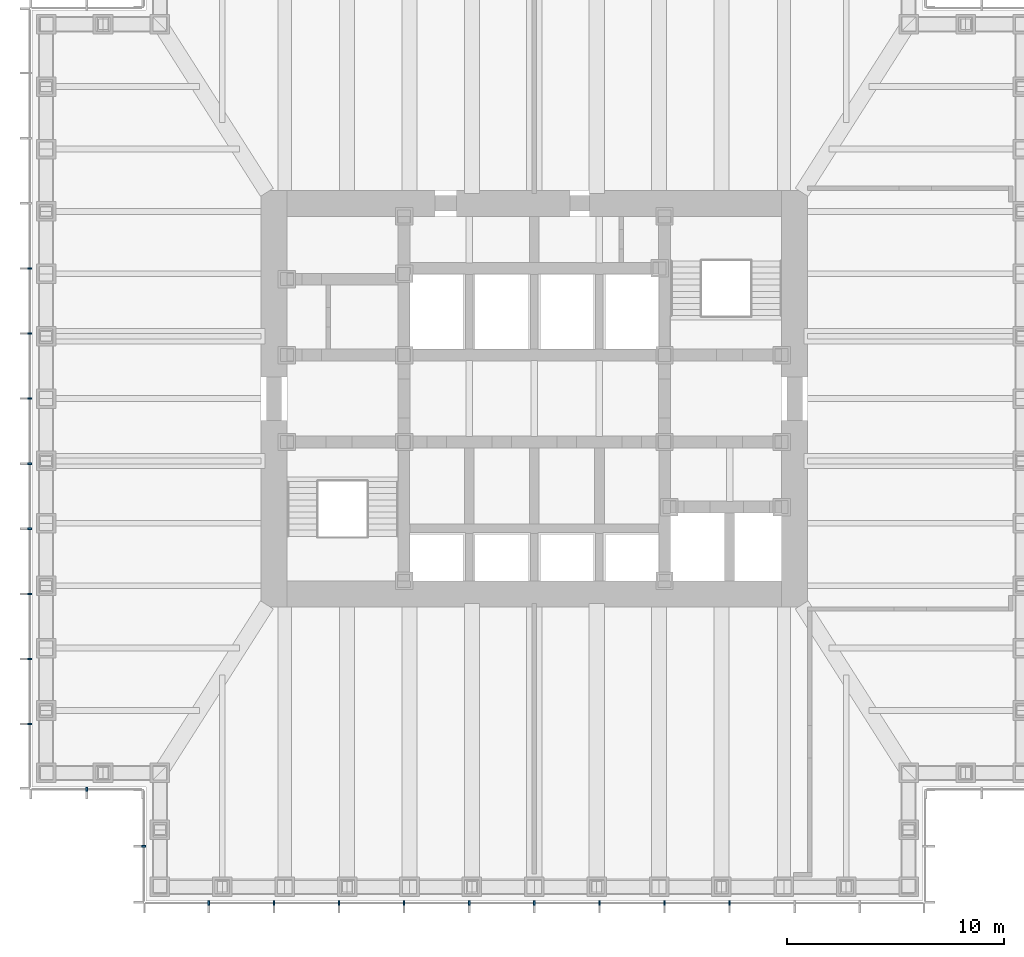
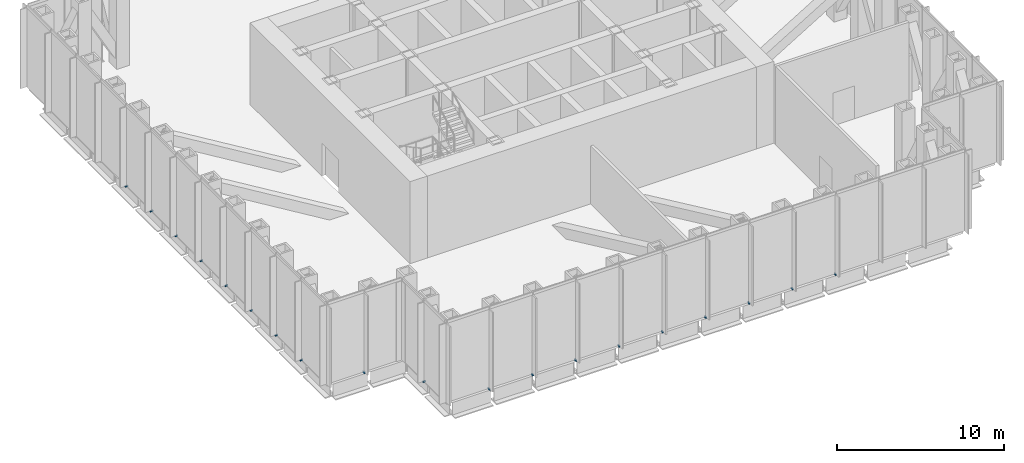
# One storey, part 9 of 13: 19 discrete accessories.
"""IFC4 building model written with IfcOpenShell, lengths in metres."""

import ifcopenshell
import ifcopenshell.guid

model = None  # the IFC model being written
_history = None  # IfcOwnerHistory: only IFC2X3 demands one
_inside = {}  # id of a spatial element -> (the spatial element, [elements in it])
_under = {}  # id of a project, library or spatial element -> (it, [spatial elements below it])
_declared = {}  # id of a project -> (the project, [libraries it declares])
_typed = {}  # id of a type object -> (the type object, [elements of that type])
_made_of = {}  # id of a material, layer set ... -> (it, [elements and type objects made of it])


def new_model(schema):
    """Start an empty IFC model of exactly this schema.

    Asked for "IFC4X3", IfcOpenShell would pick the latest addendum, in which some entities
    have other attributes; the version numbers below select the first issue.
    IFC2X3 requires an IfcOwnerHistory on every rooted entity: one is made here for all.
    """
    global model, _history
    if schema == "IFC4X3":
        model = ifcopenshell.file(schema_version=(4, 3, 0, 0))
    else:
        model = ifcopenshell.file(schema=schema)
    _inside.clear()
    _under.clear()
    _declared.clear()
    _typed.clear()
    _made_of.clear()
    _history = None
    if model.schema == "IFC2X3":
        org = make("IfcOrganization", Name="unknown")
        user = make(
            "IfcPersonAndOrganization",
            ThePerson=make("IfcPerson", FamilyName="unknown"),
            TheOrganization=org,
        )
        app = make(
            "IfcApplication",
            ApplicationDeveloper=org,
            Version="unknown",
            ApplicationFullName="unknown",
            ApplicationIdentifier="unknown",
        )
        _history = make(
            "IfcOwnerHistory",
            OwningUser=user,
            OwningApplication=app,
            ChangeAction="ADDED",
            CreationDate=0,
        )
    return model


def make(cls, **values):
    """One entity of the class cls with the attributes given. An attribute that is None is left unset."""
    return model.create_entity(
        cls, **{name: value for name, value in values.items() if value is not None}
    )


def rooted(cls, **values):
    """An entity with a GlobalId (a new one), such as an element, a storey or a relation."""
    return make(cls, GlobalId=ifcopenshell.guid.new(), OwnerHistory=_history, **values)


def si_unit(unit_type, name, prefix=None):
    """IfcSIUnit, for example si_unit("LENGTHUNIT", "METRE", prefix="MILLI")."""
    return make("IfcSIUnit", UnitType=unit_type, Prefix=prefix, Name=name)


def assignment(units):
    """IfcUnitAssignment: the units of a project."""
    return None if units is None else make("IfcUnitAssignment", Units=units)


def point(xyz):
    """IfcCartesianPoint."""
    return None if xyz is None else make("IfcCartesianPoint", Coordinates=xyz)


def direction(xyz):
    """IfcDirection."""
    return None if xyz is None else make("IfcDirection", DirectionRatios=xyz)


def frame(location, z_axis=None, x_axis=None):
    """IfcAxis2Placement3D, a coordinate frame: its origin and axes. An axis left out is left unset."""
    return make(
        "IfcAxis2Placement3D",
        Location=point(location),
        Axis=direction(z_axis),
        RefDirection=direction(x_axis),
    )


def frame_2d(location, x_axis=None):
    """IfcAxis2Placement2D, a coordinate frame in the plane: its origin and x axis."""
    return make(
        "IfcAxis2Placement2D", Location=point(location), RefDirection=direction(x_axis)
    )


def origin():
    """The frame at (0, 0, 0) with its axes left unset."""
    return frame((0.0, 0.0, 0.0))


def origin_2d():
    """The frame at (0, 0) in the plane with its x axis left unset."""
    return frame_2d((0.0, 0.0))


def place(relative_to, where):
    """IfcLocalPlacement: puts the frame where relative to a parent placement (None: the world)."""
    return make(
        "IfcLocalPlacement", PlacementRelTo=relative_to, RelativePlacement=where
    )


def context(
    kind, dimensions, precision=None, world=None, true_north=None, identifier=None
):
    """IfcGeometricRepresentationContext, for example the 3D "Model" context."""
    return make(
        "IfcGeometricRepresentationContext",
        ContextIdentifier=identifier,
        ContextType=kind,
        CoordinateSpaceDimension=dimensions,
        Precision=precision,
        WorldCoordinateSystem=world,
        TrueNorth=true_north,
    )


def subcontext(parent, identifier, kind, view, scale=None):
    """IfcGeometricRepresentationSubContext, for example "Body" below "Model"."""
    return make(
        "IfcGeometricRepresentationSubContext",
        ContextIdentifier=identifier,
        ContextType=kind,
        ParentContext=parent,
        TargetScale=scale,
        TargetView=view,
    )


def project(units=None, contexts=None):
    """IfcProject with its units and contexts."""
    return rooted(
        "IfcProject",
        Name="project",
        RepresentationContexts=contexts,
        UnitsInContext=assignment(units),
    )


def spatial(cls, under=None, at=None, **own):
    """A site, building, storey or space (cls), placed at a placement, below another one or the project."""
    s = rooted(cls, ObjectPlacement=at, **own)
    if under is not None:
        _under.setdefault(under.id(), (under, []))[1].append(s)
    return s


def profile(cls, at=None, kind="AREA", **sizes):
    """A parametric profile (cls). Its sizes go by their IFC names, for example OverallWidth=200.0."""
    return make(cls, ProfileType=kind, Position=at, **sizes)


def rectangle(**sizes):
    """IfcRectangleProfileDef."""
    return profile("IfcRectangleProfileDef", **sizes)


def extrude(swept, where, along, depth):
    """IfcExtrudedAreaSolid: the profile swept, set in the frame where, extruded along a direction by depth."""
    return make(
        "IfcExtrudedAreaSolid",
        SweptArea=swept,
        Position=where,
        ExtrudedDirection=direction(along),
        Depth=depth,
    )


def shape(context_of_items, identifier, shape_type, items):
    """IfcShapeRepresentation: the items that make up one representation, for example the "Body"."""
    return make(
        "IfcShapeRepresentation",
        ContextOfItems=context_of_items,
        RepresentationIdentifier=identifier,
        RepresentationType=shape_type,
        Items=items,
    )


def made_of(thing, what):
    """Note that an element or type object is made of a material, layer set ...; save() writes the relation."""
    if what is not None:
        _made_of.setdefault(what.id(), (what, []))[1].append(thing)
    return thing


def element(
    cls,
    number,
    at=None,
    inside=None,
    cuts=None,
    type_object=None,
    material=None,
    context=None,
    identifier="Body",
    shape_type=None,
    held_by="IfcProductDefinitionShape",
    body=None,
    shapes=None,
    **own,
):
    """One element of the class cls, such as IfcWall. Its Tag is "e" and its number.

    at: its placement. inside: the storey or other place that contains it. cuts: it is an
    opening in that element (IfcRelVoidsElement). A single representation is given by context,
    identifier, shape_type and body (its items); several are given by shapes. held_by: the class
    of the entity that holds the representations. save() writes the other relations.
    """
    e = rooted(cls, Tag="e%d" % number, ObjectPlacement=at, **own)
    if body is not None:
        shapes = [shape(context, identifier, shape_type, body)]
    if shapes is not None:
        e.Representation = make(held_by, Representations=shapes)
    if inside is not None:
        _inside.setdefault(inside.id(), (inside, []))[1].append(e)
    if cuts is not None:
        rooted(
            "IfcRelVoidsElement", RelatingBuildingElement=cuts, RelatedOpeningElement=e
        )
    if type_object is not None:
        _typed.setdefault(type_object.id(), (type_object, []))[1].append(e)
    return made_of(e, material)


def aggregate(whole, parts):
    """IfcRelAggregates: a whole, such as a stair, and the parts it consists of."""
    return rooted("IfcRelAggregates", RelatingObject=whole, RelatedObjects=parts)


def save(model, path):
    """Write the relations noted so far, then the file.

    IfcRelAggregates (storeys below a building ...), IfcRelContainedInSpatialStructure (elements
    in a storey), IfcRelDefinesByType, IfcRelAssociatesMaterial and IfcRelDeclares: one each for
    every whole, place, type object, material and project.
    """
    for whole, parts in _under.values():
        aggregate(whole, parts)
    for where, things in _inside.values():
        rooted(
            "IfcRelContainedInSpatialStructure",
            RelatedElements=things,
            RelatingStructure=where,
        )
    for kind, things in _typed.values():
        rooted("IfcRelDefinesByType", RelatedObjects=things, RelatingType=kind)
    for what, things in _made_of.values():
        rooted("IfcRelAssociatesMaterial", RelatedObjects=things, RelatingMaterial=what)
    for by, libraries in _declared.values():
        rooted("IfcRelDeclares", RelatingContext=by, RelatedDefinitions=libraries)
    model.write(path)


model = new_model("IFC4")

# Units and contexts
model_context = context("Model", 3, precision=1e-05, world=origin(), true_north=direction((0.0, 1.0)))
body_context = subcontext(model_context, "Body", "Model", "MODEL_VIEW")
ifc_project = project(units=[si_unit("LENGTHUNIT", "METRE"), si_unit("AREAUNIT", "SQUARE_METRE"), si_unit("VOLUMEUNIT", "CUBIC_METRE"), si_unit("PLANEANGLEUNIT", "RADIAN"), si_unit("MASSUNIT", "GRAM", prefix="KILO")], contexts=[model_context])

# Site, building, storey
site_placement = place(None, origin())
site = spatial("IfcSite", under=ifc_project, at=site_placement, CompositionType="ELEMENT")
building_placement = place(site_placement, origin())
building = spatial("IfcBuilding", under=site, at=building_placement, Name="Daluyong Arena Tower", CompositionType="ELEMENT")
storey_placement = place(building_placement, frame((0.0, 0.0, 175.300048828125)))
storey = spatial("IfcBuildingStorey", under=building, at=storey_placement, Name="L39", CompositionType="ELEMENT", Elevation=175.300048828125)

# Discrete accessories
for number, where, z_axis, x_axis, name in (
    (1, (41.0, 56.75, -0.10009765625), (0.0, 0.0, 1.0), (1.0, 0.0, 0.0), "curtain wall L39 S anchor bracket 2"),
    (2, (44.0, 56.75, -0.10009765625), (0.0, 0.0, 1.0), (1.0, 0.0, 0.0), "curtain wall L39 S anchor bracket 3"),
    (3, (47.0, 56.75, -0.10009765625), (0.0, 0.0, 1.0), (1.0, 0.0, 0.0), "curtain wall L39 S anchor bracket 4"),
    (4, (50.0, 56.75, -0.10009765625), (0.0, 0.0, 1.0), (1.0, 0.0, 0.0), "curtain wall L39 S anchor bracket 5"),
    (5, (53.0, 56.75, -0.10009765625), (0.0, 0.0, 1.0), (1.0, 0.0, 0.0), "curtain wall L39 S anchor bracket 6"),
    (6, (56.0, 56.75, -0.10009765625), (0.0, 0.0, 1.0), (1.0, 0.0, 0.0), "curtain wall L39 S anchor bracket 7"),
    (7, (59.0, 56.75, -0.10009765625), (0.0, 0.0, 1.0), (1.0, 0.0, 0.0), "curtain wall L39 S anchor bracket 8"),
    (8, (62.0, 56.75, -0.10009765625), (0.0, 0.0, 1.0), (1.0, 0.0, 0.0), "curtain wall L39 S anchor bracket 9"),
    (9, (65.0, 56.75, -0.10009765625), (0.0, 0.0, 1.0), (1.0, 0.0, 0.0), "curtain wall L39 S anchor bracket 10"),
    (10, (32.75, 86.0, -0.10009765625), (0.0, 0.0, 1.0), (0.0, -1.0, 0.0), "curtain wall L39 W anchor bracket 5"),
    (11, (32.75, 83.0, -0.10009765625), (0.0, 0.0, 1.0), (0.0, -1.0, 0.0), "curtain wall L39 W anchor bracket 6"),
    (12, (32.75, 80.0, -0.10009765625), (0.0, 0.0, 1.0), (0.0, -1.0, 0.0), "curtain wall L39 W anchor bracket 7"),
    (13, (32.75, 77.0, -0.10009765625), (0.0, 0.0, 1.0), (0.0, -1.0, 0.0), "curtain wall L39 W anchor bracket 8"),
    (14, (32.75, 74.0, -0.10009765625), (0.0, 0.0, 1.0), (0.0, -1.0, 0.0), "curtain wall L39 W anchor bracket 9"),
    (15, (32.75, 71.0, -0.10009765625), (0.0, 0.0, 1.0), (0.0, -1.0, 0.0), "curtain wall L39 W anchor bracket 10"),
    (16, (32.75, 68.0, -0.10009765625), (0.0, 0.0, 1.0), (0.0, -1.0, 0.0), "curtain wall L39 W anchor bracket 11"),
    (17, (32.75, 65.0, -0.10009765625), (0.0, 0.0, 1.0), (0.0, -1.0, 0.0), "curtain wall L39 W anchor bracket 12"),
    (18, (35.375, 62.0, -0.10009765625), (0.0, 0.0, 1.0), (1.0, 0.0, 0.0), "curtain wall L39 SW-S anchor bracket 2"),
    (19, (38.0, 59.375, -0.10009765625), (0.0, 0.0, 1.0), (0.0, -1.0, 0.0), "curtain wall L39 SW-W anchor bracket 2"),
):
    element("IfcDiscreteAccessory", number, at=place(storey_placement, frame(where, z_axis=z_axis, x_axis=x_axis)), inside=storey, Name=name, PredefinedType="BRACKET", context=body_context, shape_type="SweptSolid", body=[
        extrude(rectangle(XDim=0.080078125, YDim=0.199951171875, at=origin_2d()), origin(), (0.0, 0.0, 1.0), 0.10009765625),
    ])

save(model, "model.ifc")
